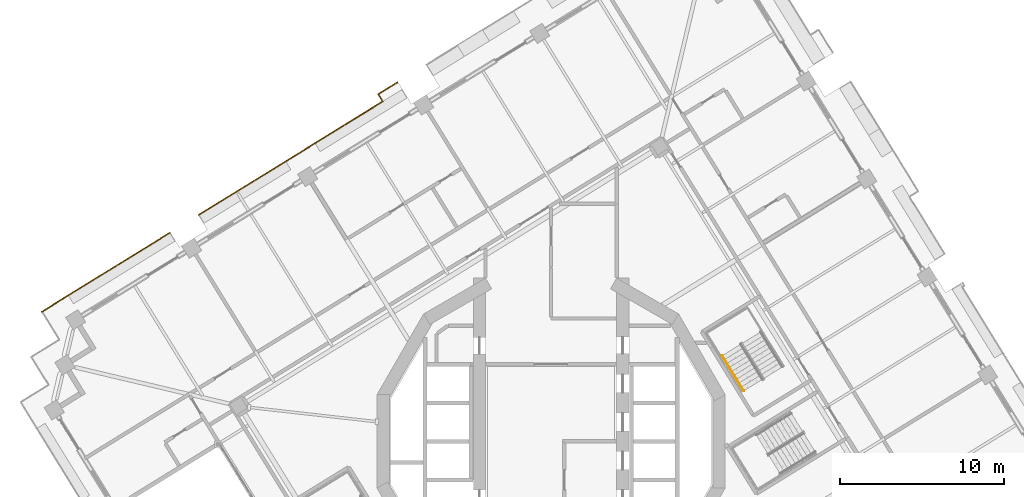
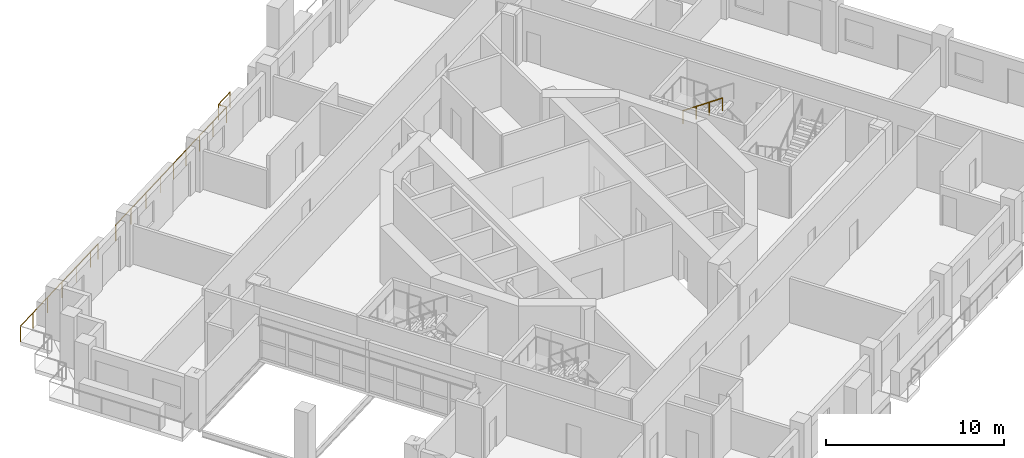
# One storey, part 17 of 20: 3 railings.
"""IFC4 building model written with IfcOpenShell, lengths in metres."""

from ifc_helpers import new_model, si_unit, direction, frame, origin, origin_2d, place, context, subcontext, project, spatial, circle, extrude, material, type_object, element, save


model = new_model("IFC4")

# Units and contexts
model_context = context("Model", 3, precision=1e-05, world=origin(), true_north=direction((0.0, 1.0)))
body_context = subcontext(model_context, "Body", "Model", "MODEL_VIEW")
ifc_project = project(units=[si_unit("LENGTHUNIT", "METRE"), si_unit("AREAUNIT", "SQUARE_METRE"), si_unit("VOLUMEUNIT", "CUBIC_METRE"), si_unit("PLANEANGLEUNIT", "RADIAN"), si_unit("MASSUNIT", "GRAM", prefix="KILO")], contexts=[model_context])

# Site, building, storey
site_placement = place(None, origin())
site = spatial("IfcSite", under=ifc_project, at=site_placement, CompositionType="ELEMENT")
building_placement = place(site_placement, origin())
building = spatial("IfcBuilding", under=site, at=building_placement, Name="Cantera Rosa Tower", CompositionType="ELEMENT")
storey_placement = place(building_placement, frame((0.0, 0.0, 151.39990234375)))
storey = spatial("IfcBuildingStorey", under=building, at=storey_placement, Name="L32", CompositionType="ELEMENT", Elevation=151.39990234375)

# Railings
ifc_material_1 = material(Name="Stainless steel and laminated glass", Category="steel")
railing_type_1 = type_object("IfcRailingType", Name="GUARD 1100", PredefinedType="BALUSTRADE", material=ifc_material_1)
railing_1_placement = place(storey_placement, frame((-31.08056640625, 7.911376953125, 0.0)))
element("IfcRailing", 1, at=railing_1_placement, inside=storey, type_object=railing_type_1, Name="GUARD L32-4", PredefinedType="BALUSTRADE", context=body_context, shape_type="SweptSolid", body=[
    extrude(circle(Radius=0.030029296875, at=origin_2d()), frame((0.0, 0.0, 1.070068359375), z_axis=(0.851138143202, 0.52494176933, 0.0), x_axis=(-0.52494176933, 0.851138143202, 0.0)), (0.0, 0.0, 1.0), 1.5),
    extrude(circle(Radius=0.030029296875, at=origin_2d()), frame((1.276611328125, 0.787353515625, 1.070068359375), z_axis=(0.851120753703, 0.524969963537, 0.0), x_axis=(-0.524969963537, 0.851120753703, 0.0)), (0.0, 0.0, 1.0), 6.820068359375),
    extrude(circle(Radius=0.030029296875, at=origin_2d()), frame((7.081298828125, 4.36767578125, 1.070068359375), z_axis=(0.851089370259, 0.525020841331, 0.0), x_axis=(-0.525020841331, 0.851089370259, 0.0)), (0.0, 0.0, 1.0), 0.8701171875),
    extrude(circle(Radius=0.02490234375, at=origin_2d()), origin(), (0.0, 0.0, 1.0), 1.0400390625),
    extrude(circle(Radius=0.02490234375, at=origin_2d()), frame((1.276611328125, 0.787353515625, 0.0)), (0.0, 0.0, 1.0), 1.0400390625),
    extrude(circle(Radius=0.02490234375, at=origin_2d()), frame((2.727783203125, 1.682373046875, 0.0)), (0.0, 0.0, 1.0), 1.0400390625),
    extrude(circle(Radius=0.02490234375, at=origin_2d()), frame((4.178955078125, 2.57763671875, 0.0)), (0.0, 0.0, 1.0), 1.0400390625),
    extrude(circle(Radius=0.02490234375, at=origin_2d()), frame((5.630126953125, 3.47265625, 0.0)), (0.0, 0.0, 1.0), 1.0400390625),
    extrude(circle(Radius=0.02490234375, at=origin_2d()), frame((7.081298828125, 4.36767578125, 0.0)), (0.0, 0.0, 1.0), 1.0400390625),
    extrude(circle(Radius=0.02490234375, at=origin_2d()), frame((7.82177734375, 4.824462890625, 0.0)), (0.0, 0.0, 1.0), 1.0400390625),
])
railing_2_placement = place(storey_placement, frame((-21.505615234375, 13.817138671875, 0.0)))
element("IfcRailing", 2, at=railing_2_placement, inside=storey, type_object=railing_type_1, Name="GUARD L32-6", PredefinedType="BALUSTRADE", context=body_context, shape_type="SweptSolid", body=[
    extrude(circle(Radius=0.030029296875, at=origin_2d()), frame((0.0, 0.0, 1.070068359375), z_axis=(0.850339408664, 0.52623463405, 0.0), x_axis=(-0.52623463405, 0.850339408664, 0.0)), (0.0, 0.0, 1.0), 0.070068359375),
    extrude(circle(Radius=0.030029296875, at=origin_2d()), frame((0.0595703125, 0.036865234375, 1.070068359375), z_axis=(0.851115851, 0.524977912085, 0.0), x_axis=(-0.524977912085, 0.851115851, 0.0)), (0.0, 0.0, 1.0), 5.320068359375),
    extrude(circle(Radius=0.030029296875, at=origin_2d()), frame((4.587646484375, 2.829833984375, 1.070068359375), z_axis=(0.851138143202, 0.52494176933, 0.0), x_axis=(-0.52494176933, 0.851138143202, 0.0)), (0.0, 0.0, 1.0), 2.999755859375),
    extrude(circle(Radius=0.030029296875, at=origin_2d()), frame((7.140869140625, 4.404541015625, 1.070068359375), z_axis=(0.851118219658, 0.524974071899, 0.0), x_axis=(-0.524974071899, 0.851118219658, 0.0)), (0.0, 0.0, 1.0), 4.7998046875),
    extrude(circle(Radius=0.030029296875, at=origin_2d()), frame((11.22607421875, 6.92431640625, 1.070068359375), z_axis=(-0.525013333851, 0.851094001435, 0.0), x_axis=(-0.851094001435, -0.525013333851, 0.0)), (0.0, 0.0, 1.0), 0.520263671875),
    extrude(circle(Radius=0.030029296875, at=origin_2d()), frame((10.952880859375, 7.3671875, 1.070068359375), z_axis=(0.851091103489, 0.525018031655, 0.0), x_axis=(-0.525018031655, 0.851091103489, 0.0)), (0.0, 0.0, 1.0), 1.390380859375),
    extrude(circle(Radius=0.02490234375, at=origin_2d()), origin(), (0.0, 0.0, 1.0), 1.0400390625),
    extrude(circle(Radius=0.02490234375, at=origin_2d()), frame((0.0595703125, 0.036865234375, 0.0)), (0.0, 0.0, 1.0), 1.0400390625),
    extrude(circle(Radius=0.02490234375, at=origin_2d()), frame((1.56884765625, 0.9677734375, 0.0)), (0.0, 0.0, 1.0), 1.0400390625),
    extrude(circle(Radius=0.02490234375, at=origin_2d()), frame((3.078369140625, 1.89892578125, 0.0)), (0.0, 0.0, 1.0), 1.0400390625),
    extrude(circle(Radius=0.02490234375, at=origin_2d()), frame((4.587646484375, 2.829833984375, 0.0)), (0.0, 0.0, 1.0), 1.0400390625),
    extrude(circle(Radius=0.02490234375, at=origin_2d()), frame((5.8642578125, 3.6171875, 0.0)), (0.0, 0.0, 1.0), 1.0400390625),
    extrude(circle(Radius=0.02490234375, at=origin_2d()), frame((7.140869140625, 4.404541015625, 0.0)), (0.0, 0.0, 1.0), 1.0400390625),
    extrude(circle(Radius=0.02490234375, at=origin_2d()), frame((8.502685546875, 5.244384765625, 0.0)), (0.0, 0.0, 1.0), 1.0400390625),
    extrude(circle(Radius=0.02490234375, at=origin_2d()), frame((9.8642578125, 6.08447265625, 0.0)), (0.0, 0.0, 1.0), 1.0400390625),
    extrude(circle(Radius=0.02490234375, at=origin_2d()), frame((11.22607421875, 6.92431640625, 0.0)), (0.0, 0.0, 1.0), 1.0400390625),
    extrude(circle(Radius=0.02490234375, at=origin_2d()), frame((10.952880859375, 7.3671875, 0.0)), (0.0, 0.0, 1.0), 1.0400390625),
    extrude(circle(Radius=0.02490234375, at=origin_2d()), frame((12.13623046875, 8.09716796875, 0.0)), (0.0, 0.0, 1.0), 1.0400390625),
])
ifc_material_2 = material(Name="Steel S355J2 (EN 10025-2)", Category="steel")
railing_type_2 = type_object("IfcRailingType", Name="STAIR HANDRAIL 900", PredefinedType="HANDRAIL", material=ifc_material_2)
railing_3_placement = place(storey_placement, frame((10.441650390625, 5.2314453125, 2.090087890625)))
element("IfcRailing", 3, at=railing_3_placement, inside=storey, type_object=railing_type_2, Name="L32 ST-31 stair handrail 2", PredefinedType="HANDRAIL", context=body_context, shape_type="SweptSolid", body=[
    extrude(circle(Radius=0.02392578125, at=origin_2d()), frame((0.0, 0.0, 0.8759765625), z_axis=(0.434427613125, -0.704271375033, 0.561493080334), x_axis=(0.851102330005, 0.524999832248, 0.0)), (0.0, 0.0, 1.0), 3.04541015625),
    extrude(circle(Radius=0.02099609375, at=origin_2d()), origin(), (0.0, 0.0, 1.0), 0.851806640625),
    extrude(circle(Radius=0.02099609375, at=origin_2d()), frame((0.44091796875, -0.71484375, 0.570068359375)), (0.0, 0.0, 1.0), 0.851806640625),
    extrude(circle(Radius=0.02099609375, at=origin_2d()), frame((0.882080078125, -1.429931640625, 1.139892578125)), (0.0, 0.0, 1.0), 0.851806640625),
    extrude(circle(Radius=0.02099609375, at=origin_2d()), frame((1.322998046875, -2.144775390625, 1.7099609375)), (0.0, 0.0, 1.0), 0.851806640625),
])

save(model, "model.ifc")
